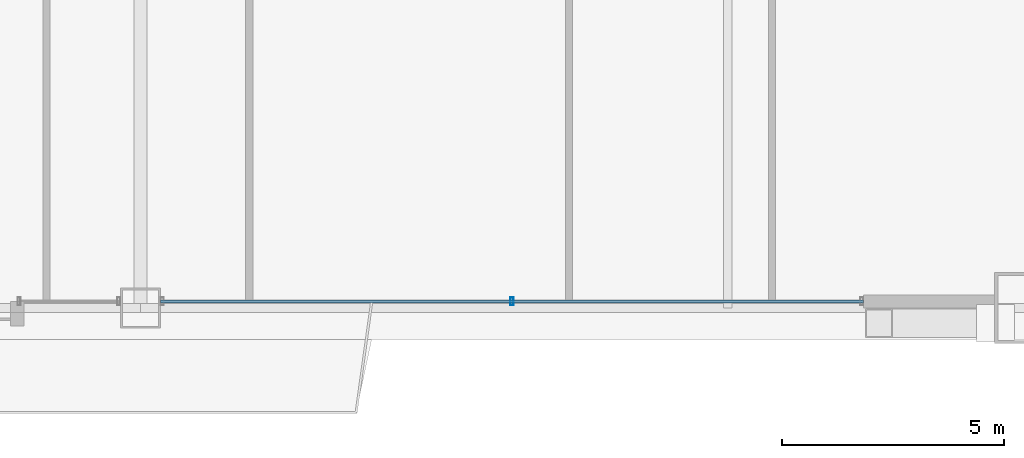
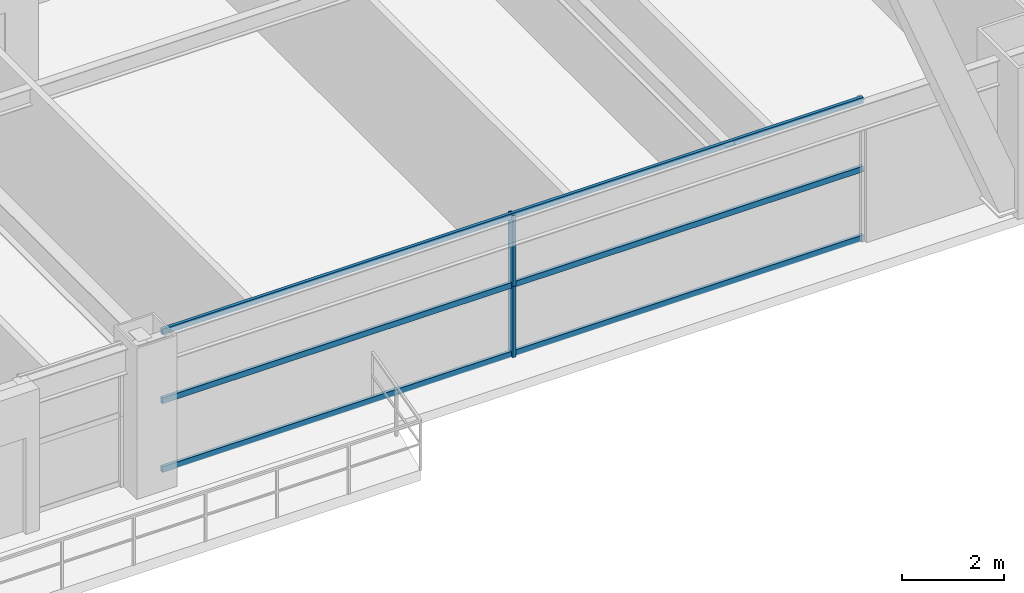
# One storey, part 14 of 43: 5 members, 1 element without a shape of its own.
"""IFC4 building model written with IfcOpenShell, lengths in metres."""

from ifc_helpers import new_model, si_unit, direction, frame, origin, origin_2d, place, context, subcontext, project, spatial, hollow_rectangle, extrude, source, transform, mapped, material, layer, layer_set, material_profile, profile_set, type_object, element, aggregate, save


model = new_model("IFC4")

# Units and contexts
model_context = context("Model", 3, precision=1e-05, world=origin(), true_north=direction((0.0, 1.0)))
body_context = subcontext(model_context, "Body", "Model", "MODEL_VIEW")
ifc_project = project(units=[si_unit("LENGTHUNIT", "METRE"), si_unit("AREAUNIT", "SQUARE_METRE"), si_unit("VOLUMEUNIT", "CUBIC_METRE"), si_unit("PLANEANGLEUNIT", "RADIAN"), si_unit("MASSUNIT", "GRAM", prefix="KILO"), si_unit("THERMODYNAMICTEMPERATUREUNIT", "KELVIN"), si_unit("POWERUNIT", "WATT")], contexts=[model_context])

# Site, building, storey
site_placement = place(None, origin())
site = spatial("IfcSite", under=ifc_project, at=site_placement, CompositionType="ELEMENT")
building_placement = place(site_placement, origin())
building = spatial("IfcBuilding", under=site, at=building_placement, Name="Yuzanri Waterfront Tower", CompositionType="ELEMENT")
storey_placement = place(building_placement, frame((0.0, 0.0, 93.800048828125)))
storey = spatial("IfcBuildingStorey", under=building, at=storey_placement, Name="L24", CompositionType="ELEMENT", Elevation=93.800048828125)

# Curtain wall, members
ifc_material_1 = material(Name="Anodized Architectural Bronze", Category="metal")
ifc_layer = layer(ifc_material_1, 0.159912109375)
ifc_layer_set = layer_set([ifc_layer], Name="Anodized Architectural Bronze")
curtain_wall_type = type_object("IfcCurtainWallType", Name="Anodized Bronze Hotel Upper-Tier Solar-Control Unitized Curtain Wall 7800", PredefinedType="NOTDEFINED", material=ifc_layer_set)
curtain_wall_placement = place(storey_placement, origin())
curtain_wall = element("IfcCurtainWall", 1, at=curtain_wall_placement, inside=storey, type_object=curtain_wall_type, Name="L24 Curtain Wall CW-L24-SR", PredefinedType="NOTDEFINED")
ifc_material_2 = material(Name="Anodized Architectural Bronze", Category="metal")
ifc_material_profile_1 = material_profile(ifc_material_2, hollow_rectangle(XDim=0.070068359375, YDim=0.179931640625, WallThickness=0.00390625, at=origin_2d()), Name="CWM 70x180")
ifc_profile_set_1 = profile_set([ifc_material_profile_1], Name="Anodized Architectural Bronze")
member_type_1 = type_object("IfcMemberType", Name="Anodized Bronze Standard Curtain-Wall Mullion 70x180", PredefinedType="MULLION", material=ifc_profile_set_1)
shared_shape_1 = source(origin(), body_context, "Body", "SweptSolid", [
    extrude(hollow_rectangle(XDim=0.070068359375, YDim=0.179931640625, WallThickness=0.00390625, at=origin_2d()), origin(), (0.0, 0.0, 1.0), 1.68798828125),
])
member_1_placement = place(storey_placement, frame((45.35009765625, 2.35009765625, 0.0), z_axis=(0.0, 0.0, 1.0), x_axis=(1.0, 0.0, 0.0)))
member_1 = element("IfcMember", 2, at=member_1_placement, type_object=member_type_1, Name="CW-L24-SR Lower Mullion 01", PredefinedType="MULLION", context=body_context, shape_type="MappedRepresentation", body=[
    mapped(shared_shape_1, transform((0.0, 0.0, 0.0), scale=1.0)),
])
member_2_placement = place(storey_placement, frame((45.35009765625, 2.35009765625, 1.69189453125), z_axis=(0.0, 0.0, 1.0), x_axis=(1.0, 0.0, 0.0)))
member_2 = element("IfcMember", 3, at=member_2_placement, type_object=member_type_1, Name="CW-L24-SR Upper Mullion 01", PredefinedType="MULLION", context=body_context, shape_type="MappedRepresentation", body=[
    mapped(shared_shape_1, transform((0.0, 0.0, 0.0), scale=1.0)),
])
ifc_material_3 = material(Name="Anodized Architectural Bronze", Category="metal")
ifc_material_profile_2 = material_profile(ifc_material_3, hollow_rectangle(XDim=0.070068359375, YDim=0.135009765625, WallThickness=0.00341796875, at=origin_2d()), Name="CWT 70x135")
ifc_profile_set_2 = profile_set([ifc_material_profile_2], Name="Anodized Architectural Bronze")
member_type_2 = type_object("IfcMemberType", Name="Anodized Bronze Standard Curtain-Wall Transom 70x135", PredefinedType="USERDEFINED", material=ifc_profile_set_2)
shared_shape_2 = source(origin(), body_context, "Body", "SweptSolid", [
    extrude(hollow_rectangle(XDim=0.070068359375, YDim=0.135009765625, WallThickness=0.00341796875, at=origin_2d()), origin(), (0.0, 0.0, 1.0), 15.800048828125),
])
member_3_placement = place(storey_placement, frame((37.449951171875, 2.35009765625, 0.050048828125), z_axis=(1.0, 0.0, 0.0), x_axis=(0.0, 1.0, 0.0)))
member_3 = element("IfcMember", 4, at=member_3_placement, type_object=member_type_2, Name="CW-L24-SR Transom 1", ObjectType="TRANSOM", PredefinedType="USERDEFINED", context=body_context, shape_type="MappedRepresentation", body=[
    mapped(shared_shape_2, transform((0.0, 0.0, 0.0), scale=1.0)),
])
member_4_placement = place(storey_placement, frame((37.449951171875, 2.35009765625, 1.68994140625), z_axis=(1.0, 0.0, 0.0), x_axis=(0.0, 1.0, 0.0)))
member_4 = element("IfcMember", 5, at=member_4_placement, type_object=member_type_2, Name="CW-L24-SR Transom 2", ObjectType="TRANSOM", PredefinedType="USERDEFINED", context=body_context, shape_type="MappedRepresentation", body=[
    mapped(shared_shape_2, transform((0.0, 0.0, 0.0), scale=1.0)),
])
member_5_placement = place(storey_placement, frame((37.449951171875, 2.35009765625, 3.329833984375), z_axis=(1.0, 0.0, 0.0), x_axis=(0.0, 1.0, 0.0)))
member_5 = element("IfcMember", 6, at=member_5_placement, type_object=member_type_2, Name="CW-L24-SR Transom 3", ObjectType="TRANSOM", PredefinedType="USERDEFINED", context=body_context, shape_type="MappedRepresentation", body=[
    mapped(shared_shape_2, transform((0.0, 0.0, 0.0), scale=1.0)),
])
aggregate(curtain_wall, [member_1, member_2, member_3, member_4, member_5])

save(model, "model.ifc")
